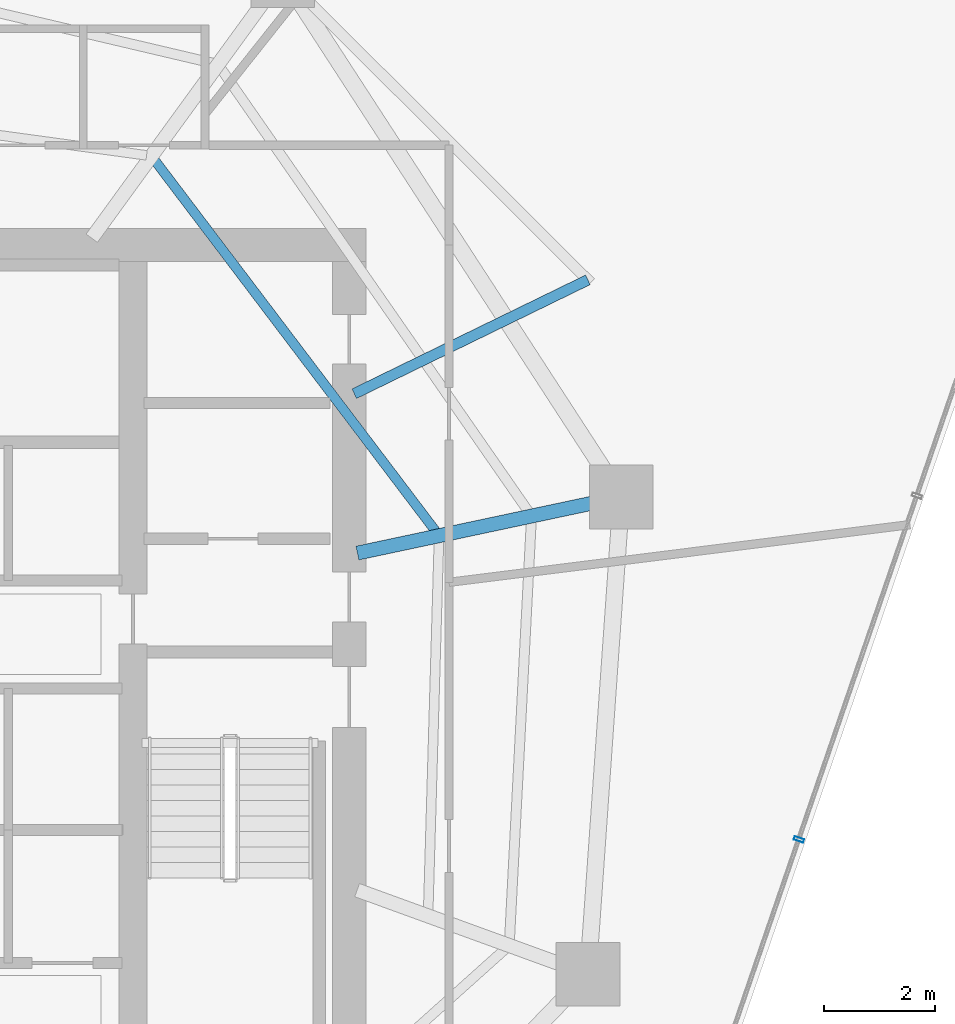
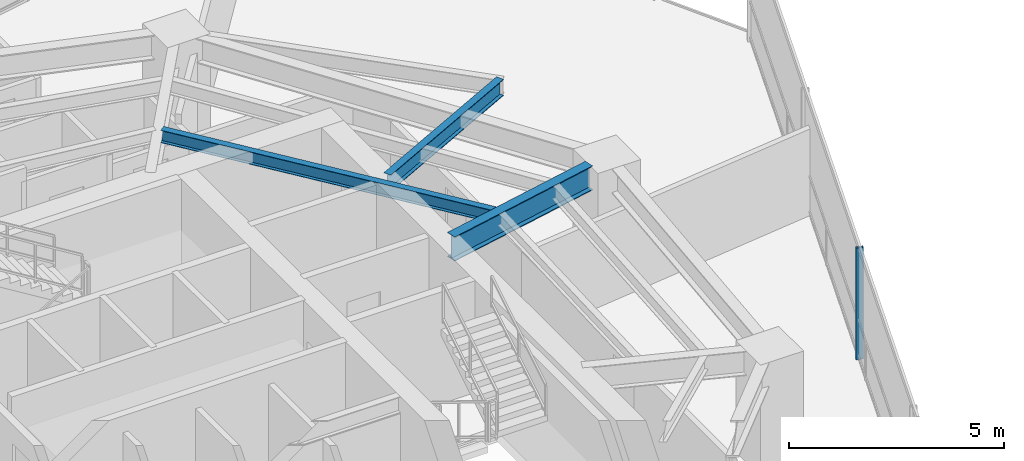
# One storey, part 13 of 27: 3 beams, 1 member, 1 element without a shape of its own.
"""IFC4 building model written with IfcOpenShell, lengths in metres."""

from ifc_helpers import new_model, si_unit, direction, frame, origin, origin_2d, place, context, subcontext, project, spatial, hollow_rectangle, i_section, extrude, material, layer, layer_set, material_profile, profile_set, type_object, element, aggregate, save


model = new_model("IFC4")

# Units and contexts
model_context = context("Model", 3, precision=1e-05, world=origin(), true_north=direction((0.0, 1.0)))
body_context = subcontext(model_context, "Body", "Model", "MODEL_VIEW")
ifc_project = project(units=[si_unit("LENGTHUNIT", "METRE"), si_unit("AREAUNIT", "SQUARE_METRE"), si_unit("VOLUMEUNIT", "CUBIC_METRE"), si_unit("PLANEANGLEUNIT", "RADIAN"), si_unit("MASSUNIT", "GRAM", prefix="KILO")], contexts=[model_context])

# Site, building, storey
site_placement = place(None, origin())
site = spatial("IfcSite", under=ifc_project, at=site_placement, CompositionType="ELEMENT")
building_placement = place(site_placement, origin())
building = spatial("IfcBuilding", under=site, at=building_placement, Name="Qarnah Convention Tower", CompositionType="ELEMENT")
storey_placement = place(building_placement, frame((0.0, 0.0, 107.39990234375)))
storey = spatial("IfcBuildingStorey", under=building, at=storey_placement, Name="L28", CompositionType="ELEMENT", Elevation=107.39990234375)

# Beams
ifc_material_1 = material(Name="Structural steel S355JR", Category="steel")
ifc_material_profile_1 = material_profile(ifc_material_1, i_section(OverallWidth=0.19189453125, OverallDepth=0.464111328125, WebThickness=0.010986328125, FlangeThickness=0.01806640625, at=origin_2d()), Name="W460X89")
ifc_profile_set_1 = profile_set([ifc_material_profile_1], Name="Structural steel S355JR")
beam_type_1 = type_object("IfcBeamType", Name="BM-CANT-W460A", PredefinedType="BEAM", material=ifc_profile_set_1)
beam_1_placement = place(storey_placement, frame((47.68994140625, 31.51611328125, 2.93798828125), z_axis=(0.898872044655, 0.438211190339, 0.0), x_axis=(-0.438211190339, 0.898872044655, 0.0)))
element("IfcBeam", 1, at=beam_1_placement, inside=storey, type_object=beam_type_1, Name="L28 beam BM-L28-CNT-01-2", PredefinedType="BEAM", context=body_context, shape_type="SweptSolid", body=[
    extrude(i_section(OverallWidth=0.19189453125, OverallDepth=0.464111328125, WebThickness=0.010986328125, FlangeThickness=0.01806640625, at=origin_2d()), origin(), (0.0, 0.0, 1.0), 4.687255859375),
])
ifc_material_profile_2 = material_profile(ifc_material_1, i_section(OverallWidth=0.172119140625, OverallDepth=0.35595703125, WebThickness=0.007080078125, FlangeThickness=0.011962890625, at=origin_2d()), Name="W360X51")
ifc_profile_set_2 = profile_set([ifc_material_profile_2], Name="Structural steel S355JR")
beam_type_2 = type_object("IfcBeamType", Name="BM-JST-W360", PredefinedType="JOIST", material=ifc_profile_set_2)
beam_2_placement = place(storey_placement, frame((49.166015625, 29.027099609375, 2.9921875), z_axis=(-0.60383365837, 0.797110351846, 0.0), x_axis=(-0.797110351846, -0.60383365837, 0.0)))
element("IfcBeam", 2, at=beam_2_placement, inside=storey, type_object=beam_type_2, Name="L28 joist BM-L28-IJST-01", PredefinedType="JOIST", context=body_context, shape_type="SweptSolid", body=[
    extrude(i_section(OverallWidth=0.172119140625, OverallDepth=0.35595703125, WebThickness=0.007080078125, FlangeThickness=0.011962890625, at=origin_2d()), origin(), (0.0, 0.0, 1.0), 8.411376953125),
])
ifc_material_profile_3 = material_profile(ifc_material_1, i_section(OverallWidth=0.25390625, OverallDepth=0.68798828125, WebThickness=0.012939453125, FlangeThickness=0.02099609375, at=origin_2d()), Name="W690X152")
ifc_profile_set_3 = profile_set([ifc_material_profile_3], Name="Structural steel S355JR")
beam_type_3 = type_object("IfcBeamType", Name="BM-RAD-W690", PredefinedType="BEAM", material=ifc_profile_set_3)
beam_3_placement = place(storey_placement, frame((47.7470703125, 28.64208984375, 2.826171875), z_axis=(0.978128480765, 0.20800162287, 0.0), x_axis=(-0.20800162287, 0.978128480765, 0.0)))
element("IfcBeam", 3, at=beam_3_placement, inside=storey, type_object=beam_type_3, Name="L28 beam BM-L28-RAD-01", PredefinedType="BEAM", context=body_context, shape_type="SweptSolid", body=[
    extrude(i_section(OverallWidth=0.25390625, OverallDepth=0.68798828125, WebThickness=0.012939453125, FlangeThickness=0.02099609375, at=origin_2d()), origin(), (0.0, 0.0, 1.0), 4.312255859375),
])

# Curtain wall, member
ifc_material_2 = material(Name="Tempered Low-E dark glass", Category="glass")
ifc_layer = layer(ifc_material_2, 0.169921875)
ifc_layer_set = layer_set([ifc_layer], Name="Tempered Low-E dark glass")
curtain_wall_type = type_object("IfcCurtainWallType", Name="CWS-02", PredefinedType="NOTDEFINED", material=ifc_layer_set)
curtain_wall_placement = place(storey_placement, origin())
curtain_wall = element("IfcCurtainWall", 4, at=curtain_wall_placement, inside=storey, type_object=curtain_wall_type, Name="L28 unitised curtain wall CW-L28-F2", PredefinedType="NOTDEFINED")
ifc_material_3 = material(Name="Black anodised aluminium", Category="aluminium")
ifc_material_profile_4 = material_profile(ifc_material_3, hollow_rectangle(XDim=0.06494140625, YDim=0.179931640625, WallThickness=0.00390625, at=origin_2d()), Name="MUL-65X180")
ifc_profile_set_4 = profile_set([ifc_material_profile_4], Name="Black anodised aluminium")
member_type = type_object("IfcMemberType", Name="MUL-T2", PredefinedType="MULLION", material=ifc_profile_set_4)
member_placement = place(storey_placement, frame((55.710693359375, 23.47509765625, 0.0), z_axis=(0.0, 0.0, 1.0), x_axis=(-0.324901541187, -0.94574784617, 0.0)))
member = element("IfcMember", 5, at=member_placement, type_object=member_type, Name="CW-L28-F2 mullion 3", PredefinedType="MULLION", context=body_context, shape_type="SweptSolid", body=[
    extrude(hollow_rectangle(XDim=0.06494140625, YDim=0.179931640625, WallThickness=0.00390625, at=origin_2d()), origin(), (0.0, 0.0, 1.0), 3.170166015625),
])
aggregate(curtain_wall, [member])

save(model, "model.ifc")
